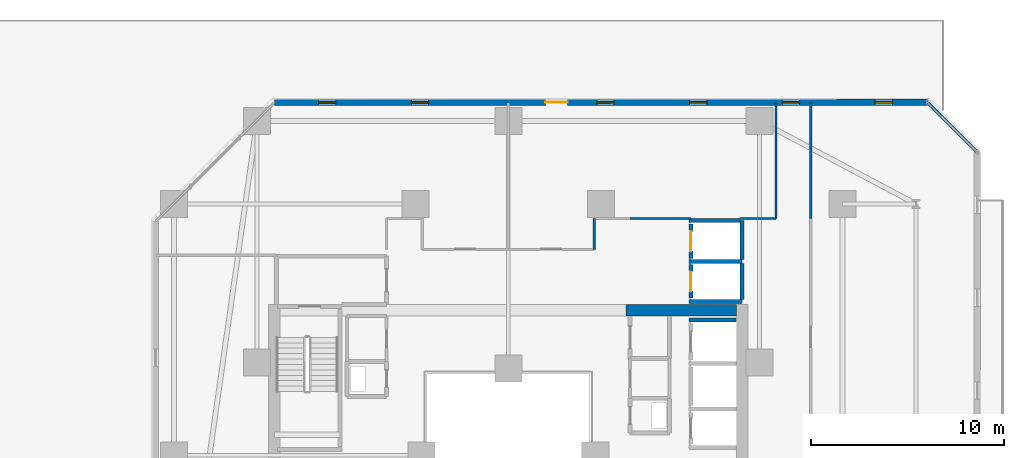
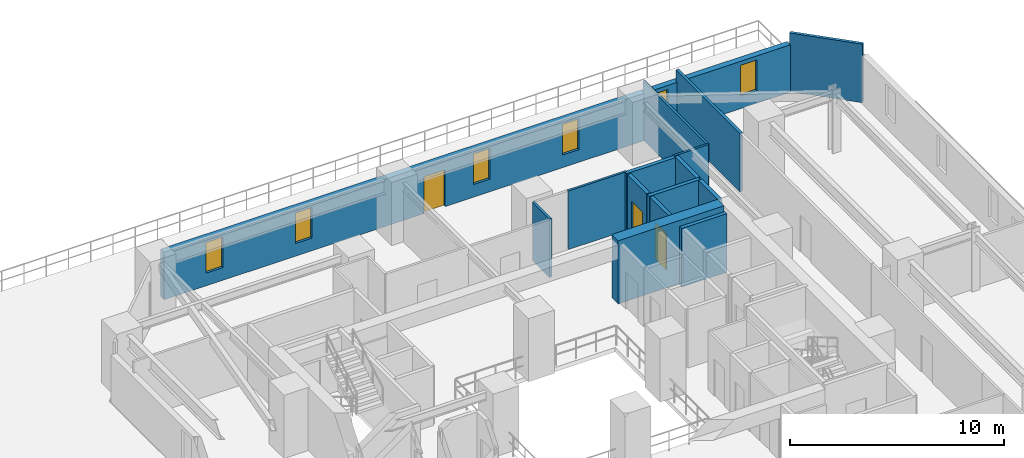
# One storey, part 25 of 34: 16 walls, 6 windows, 3 doors, 9 openings.
"""IFC4 building model written with IfcOpenShell, lengths in metres."""

from ifc_helpers import new_model, si_unit, direction, frame, frame_2d, origin, place, context, subcontext, project, spatial, rectangle, extrude, material, layer, layer_set, type_object, element, fill, save


model = new_model("IFC4")

# Units and contexts
model_context = context("Model", 3, precision=1e-05, world=origin(), true_north=direction((0.0, 1.0)))
body_context = subcontext(model_context, "Body", "Model", "MODEL_VIEW")
ifc_project = project(units=[si_unit("LENGTHUNIT", "METRE"), si_unit("AREAUNIT", "SQUARE_METRE"), si_unit("VOLUMEUNIT", "CUBIC_METRE"), si_unit("PLANEANGLEUNIT", "RADIAN"), si_unit("MASSUNIT", "GRAM", prefix="KILO")], contexts=[model_context])

# Site, building, storey
site_placement = place(None, origin())
site = spatial("IfcSite", under=ifc_project, at=site_placement, CompositionType="ELEMENT")
building_placement = place(site_placement, origin())
building = spatial("IfcBuilding", under=site, at=building_placement, Name="Thornwick Lancets Civic Towers", CompositionType="ELEMENT")
storey_placement = place(building_placement, frame((0.0, 0.0, 27.89990234375)))
storey = spatial("IfcBuildingStorey", under=building, at=storey_placement, Name="L06", CompositionType="ELEMENT", Elevation=27.89990234375)

# Wall, opening, door
ifc_material_1 = material(Name="Concrete blockwork C40/50", Category="masonry")
ifc_layer_1 = layer(ifc_material_1, 0.199951171875, Name="Concrete blockwork C40/50")
ifc_layer_set_1 = layer_set([ifc_layer_1], Name="Concrete blockwork C40/50")
wall_type_1 = type_object("IfcWallType", Name="WALL_COMP_200", PredefinedType="STANDARD", material=ifc_layer_set_1)
wall_1_placement = place(storey_placement, frame((97.949951171875, 36.8701171875, 0.0), z_axis=(0.0, 0.0, 1.0), x_axis=(0.0, -1.0, 0.0)))
wall_1 = element("IfcWall", 1, at=wall_1_placement, inside=storey, type_object=wall_type_1, Name="L06 Hoistway Front Wall PL-BL2", PredefinedType="STANDARD", context=body_context, shape_type="SweptSolid", body=[
    extrude(rectangle(XDim=1.740234375, YDim=0.199951171875, at=frame_2d((0.8701171875, 0.0))), origin(), (0.0, 0.0, 1.0), 3.340087890625),
])
opening_1_placement = place(wall_1_placement, frame((0.360107421875, 0.0, 0.0)))
opening_1 = element("IfcOpeningElement", 2, at=opening_1_placement, cuts=wall_1, Name="Opening LD-PL-BL2", PredefinedType="OPENING", context=body_context, shape_type="SweptSolid", body=[
    extrude(rectangle(XDim=1.02001953125, YDim=2.06005859375, at=frame_2d((0.510009765625, 1.030029296875))), frame((0.0, 0.10986328125, 0.0), z_axis=(0.0, -1.0, 0.0), x_axis=(1.0, 0.0, 0.0)), (0.0, 0.0, 1.0), 0.219970703125),
])
ifc_material_2 = material(Name="Brushed bronze stainless steel", Category="steel")
door_type_1 = type_object("IfcDoorType", Name="DOOR_LIFT_SLIDE", OperationType="SLIDING_TO_LEFT", PredefinedType="DOOR", material=ifc_material_2)
door_1_placement = place(opening_1_placement, origin())
door_1 = element("IfcDoor", 3, at=door_1_placement, inside=storey, type_object=door_type_1, Name="L06 Sliding Lift Landing Door LD-PL-BL2", OperationType="SLIDING_TO_LEFT", OverallHeight=2.06005859375, OverallWidth=1.02001953125, PredefinedType="DOOR", context=body_context, shape_type="SweptSolid", body=[
    extrude(rectangle(XDim=1.02001953125, YDim=2.06005859375, at=frame_2d((0.510009765625, 1.030029296875))), frame((0.0, 0.02490234375, 0.0), z_axis=(0.0, -1.0, 0.0), x_axis=(1.0, 0.0, 0.0)), (0.0, 0.0, 1.0), 0.050048828125),
])
fill(opening_1, door_1)

wall_2_placement = place(storey_placement, frame((97.949951171875, 38.969970703125, 0.0), z_axis=(0.0, 0.0, 1.0), x_axis=(0.0, -1.0, 0.0)))
wall_2 = element("IfcWall", 4, at=wall_2_placement, inside=storey, type_object=wall_type_1, Name="L06 Hoistway Front Wall PL-BL3", PredefinedType="STANDARD", context=body_context, shape_type="SweptSolid", body=[
    extrude(rectangle(XDim=1.7900390625, YDim=0.199951171875, at=frame_2d((0.89501953125, 0.0))), origin(), (0.0, 0.0, 1.0), 3.340087890625),
])
opening_2_placement = place(wall_2_placement, frame((0.385009765625, 0.0, 0.0)))
opening_2 = element("IfcOpeningElement", 5, at=opening_2_placement, cuts=wall_2, Name="Opening LD-PL-BL3", PredefinedType="OPENING", context=body_context, shape_type="SweptSolid", body=[
    extrude(rectangle(XDim=1.02001953125, YDim=2.06005859375, at=frame_2d((0.510009765625, 1.030029296875))), frame((0.0, 0.10986328125, 0.0), z_axis=(0.0, -1.0, 0.0), x_axis=(1.0, 0.0, 0.0)), (0.0, 0.0, 1.0), 0.219970703125),
])
door_2_placement = place(opening_2_placement, origin())
door_2 = element("IfcDoor", 6, at=door_2_placement, inside=storey, type_object=door_type_1, Name="L06 Sliding Lift Landing Door LD-PL-BL3", OperationType="SLIDING_TO_LEFT", OverallHeight=2.06005859375, OverallWidth=1.02001953125, PredefinedType="DOOR", context=body_context, shape_type="SweptSolid", body=[
    extrude(rectangle(XDim=1.02001953125, YDim=2.06005859375, at=frame_2d((0.510009765625, 1.030029296875))), frame((0.0, 0.02490234375, 0.0), z_axis=(0.0, -1.0, 0.0), x_axis=(1.0, 0.0, 0.0)), (0.0, 0.0, 1.0), 0.050048828125),
])
fill(opening_2, door_2)

# Walls
wall_3_placement = place(storey_placement, frame((97.85205078125, 34.0, 0.0), z_axis=(0.0, 0.0, 1.0), x_axis=(1.0, 0.0, 0.0)))
element("IfcWall", 7, at=wall_3_placement, inside=storey, type_object=wall_type_1, Name="L06 Hoistway Shaft Wall PL-BL1 N", PredefinedType="STANDARD", context=body_context, shape_type="SweptSolid", body=[
    extrude(rectangle(XDim=2.43603515625, YDim=0.199951171875, at=frame_2d((1.218017578125, 0.0))), origin(), (0.0, 0.0, 1.0), 3.340087890625),
])
for number, where, z_axis, x_axis, name in (
    (8, (97.85205078125, 37.02490234375, 0.0), (0.0, 0.0, 1.0), (1.0, 0.0, 0.0), "L06 Hoistway Shaft Wall PL-BL2 N"),
    (9, (97.85205078125, 34.949951171875, 0.0), (0.0, 0.0, 1.0), (1.0, 0.0, 0.0), "L06 Hoistway Shaft Wall PL-BL2 S"),
):
    element("IfcWall", number, at=place(storey_placement, frame(where, z_axis=z_axis, x_axis=x_axis)), inside=storey, type_object=wall_type_1, Name=name, PredefinedType="STANDARD", context=body_context, shape_type="SweptSolid", body=[
        extrude(rectangle(XDim=2.745849609375, YDim=0.199951171875, at=frame_2d((1.373046875, 0.0))), origin(), (0.0, 0.0, 1.0), 3.340087890625),
    ])
wall_4_placement = place(storey_placement, frame((100.60009765625, 35.06201171875, 0.0), z_axis=(0.0, 0.0, 1.0), x_axis=(0.0, 1.0, 0.0)))
element("IfcWall", 10, at=wall_4_placement, inside=storey, type_object=wall_type_1, Name="L06 Hoistway Shaft Wall PL-BL2 E", PredefinedType="STANDARD", context=body_context, shape_type="SweptSolid", body=[
    extrude(rectangle(XDim=1.85595703125, YDim=0.199951171875, at=frame_2d((0.927978515625, 0.0))), origin(), (0.0, 0.0, 1.0), 3.340087890625),
])
wall_5_placement = place(storey_placement, frame((100.60009765625, 37.132080078125, 0.0), z_axis=(0.0, 0.0, 1.0), x_axis=(0.0, 1.0, 0.0)))
element("IfcWall", 11, at=wall_5_placement, inside=storey, type_object=wall_type_1, Name="L06 Hoistway Shaft Wall PL-BL2 E", PredefinedType="STANDARD", context=body_context, shape_type="SweptSolid", body=[
    extrude(rectangle(XDim=2.015869140625, YDim=0.199951171875, at=frame_2d((1.0078125, 0.0))), origin(), (0.0, 0.0, 1.0), 3.340087890625),
])
wall_6_placement = place(storey_placement, frame((97.85205078125, 39.14990234375, 0.0), z_axis=(0.0, 0.0, 1.0), x_axis=(1.0, 0.0, 0.0)))
element("IfcWall", 12, at=wall_6_placement, inside=storey, type_object=wall_type_1, Name="L06 Hoistway Shaft Wall PL-BL3 N", PredefinedType="STANDARD", context=body_context, shape_type="SweptSolid", body=[
    extrude(rectangle(XDim=2.635986328125, YDim=0.199951171875, at=frame_2d((1.31787109375, 0.0))), origin(), (0.0, 0.0, 1.0), 3.340087890625),
])
ifc_material_3 = material(Name="Concrete C60/75", Category="concrete")
ifc_layer_2 = layer(ifc_material_3, 0.60009765625, Name="Concrete C60/75")
ifc_layer_set_2 = layer_set([ifc_layer_2], Name="Concrete C60/75")
wall_type_2 = type_object("IfcWallType", Name="WALL_CORE_600", PredefinedType="SHEAR", material=ifc_layer_set_2)
wall_7_placement = place(storey_placement, frame((94.60009765625, 34.5, 0.0), z_axis=(0.0, 0.0, 1.0), x_axis=(1.0, 0.0, 0.0)))
element("IfcWall", 13, at=wall_7_placement, inside=storey, type_object=wall_type_2, Name="L06 Split Core B1 Shear Wall N", PredefinedType="SHEAR", context=body_context, shape_type="SweptSolid", body=[
    extrude(rectangle(XDim=5.699951171875, YDim=0.60009765625, at=frame_2d((2.85009765625, 0.0))), origin(), (0.0, 0.0, 1.0), 3.60009765625),
])

# Wall, openings, door, windows
ifc_material_4 = material(Name="Insulated buff terracotta rainscreen on concrete C40/50", Category="masonry")
ifc_layer_3 = layer(ifc_material_4, 0.320068359375, Name="Insulated buff terracotta rainscreen on concrete C40/50")
ifc_layer_set_3 = layer_set([ifc_layer_3], Name="Insulated buff terracotta rainscreen on concrete C40/50")
wall_type_3 = type_object("IfcWallType", Name="WALL_EXT_TERRA_320", PredefinedType="STANDARD", material=ifc_layer_set_3)
wall_8_placement = place(storey_placement, frame((110.18115234375, 45.264892578125, 0.0), z_axis=(0.0, 0.0, 1.0), x_axis=(-0.999999942296, -0.000339718087, 0.0)))
wall_8 = element("IfcWall", 14, at=wall_8_placement, inside=storey, type_object=wall_type_3, Name="L06 Tower B Terracotta Facade Wall E4", PredefinedType="STANDARD", context=body_context, shape_type="SweptSolid", body=[
    extrude(rectangle(XDim=33.77685546875, YDim=0.320068359375, at=frame_2d((16.888427734375, 0.0))), origin(), (0.0, 0.0, 1.0), 2.7001953125),
])
opening_3_placement = place(wall_8_placement, frame((18.613525390625, 0.0, 0.0)))
opening_3 = element("IfcOpeningElement", 15, at=opening_3_placement, cuts=wall_8, Name="Opening D-PR-B4", PredefinedType="OPENING", context=body_context, shape_type="SweptSolid", body=[
    extrude(rectangle(XDim=1.14990234375, YDim=2.10009765625, at=frame_2d((0.574951171875, 1.050048828125))), frame((0.0, 0.169921875, 0.0), z_axis=(0.0, -1.0, 0.0), x_axis=(1.0, 0.0, 0.0)), (0.0, 0.0, 1.0), 0.340087890625),
])
opening_4_placement = place(wall_8_placement, frame((1.800048828125, 0.0, 0.719970703125)))
opening_4 = element("IfcOpeningElement", 16, at=opening_4_placement, cuts=wall_8, Name="Opening WL-01", PredefinedType="OPENING", context=body_context, shape_type="SweptSolid", body=[
    extrude(rectangle(XDim=0.89990234375, YDim=1.75, at=frame_2d((0.449951171875, 0.875))), frame((0.0, 0.169921875, 0.0), z_axis=(0.0, -1.0, 0.0), x_axis=(1.0, 0.0, 0.0)), (0.0, 0.0, 1.0), 0.340087890625),
])
opening_5_placement = place(wall_8_placement, frame((6.60009765625, 0.0, 0.719970703125)))
opening_5 = element("IfcOpeningElement", 17, at=opening_5_placement, cuts=wall_8, Name="Opening WL-01", PredefinedType="OPENING", context=body_context, shape_type="SweptSolid", body=[
    extrude(rectangle(XDim=0.89990234375, YDim=1.75, at=frame_2d((0.449951171875, 0.875))), frame((0.0, 0.169921875, 0.0), z_axis=(0.0, -1.0, 0.0), x_axis=(1.0, 0.0, 0.0)), (0.0, 0.0, 1.0), 0.340087890625),
])
opening_6_placement = place(wall_8_placement, frame((11.39990234375, 0.0, 0.719970703125)))
opening_6 = element("IfcOpeningElement", 18, at=opening_6_placement, cuts=wall_8, Name="Opening WL-01", PredefinedType="OPENING", context=body_context, shape_type="SweptSolid", body=[
    extrude(rectangle(XDim=0.89990234375, YDim=1.75, at=frame_2d((0.449951171875, 0.875))), frame((0.0, 0.169921875, 0.0), z_axis=(0.0, -1.0, 0.0), x_axis=(1.0, 0.0, 0.0)), (0.0, 0.0, 1.0), 0.340087890625),
])
opening_7_placement = place(wall_8_placement, frame((16.199951171875, 0.0, 0.719970703125)))
opening_7 = element("IfcOpeningElement", 19, at=opening_7_placement, cuts=wall_8, Name="Opening WL-01", PredefinedType="OPENING", context=body_context, shape_type="SweptSolid", body=[
    extrude(rectangle(XDim=0.89990234375, YDim=1.75, at=frame_2d((0.449951171875, 0.875))), frame((0.0, 0.169921875, 0.0), z_axis=(0.0, -1.0, 0.0), x_axis=(1.0, 0.0, 0.0)), (0.0, 0.0, 1.0), 0.340087890625),
])
opening_8_placement = place(wall_8_placement, frame((25.800048828125, 0.0, 0.719970703125)))
opening_8 = element("IfcOpeningElement", 20, at=opening_8_placement, cuts=wall_8, Name="Opening WL-01", PredefinedType="OPENING", context=body_context, shape_type="SweptSolid", body=[
    extrude(rectangle(XDim=0.89990234375, YDim=1.75, at=frame_2d((0.449951171875, 0.875))), frame((0.0, 0.169921875, 0.0), z_axis=(0.0, -1.0, 0.0), x_axis=(1.0, 0.0, 0.0)), (0.0, 0.0, 1.0), 0.340087890625),
])
opening_9_placement = place(wall_8_placement, frame((30.60009765625, 0.0, 0.719970703125)))
opening_9 = element("IfcOpeningElement", 21, at=opening_9_placement, cuts=wall_8, Name="Opening WL-01", PredefinedType="OPENING", context=body_context, shape_type="SweptSolid", body=[
    extrude(rectangle(XDim=0.89990234375, YDim=1.75, at=frame_2d((0.449951171875, 0.875))), frame((0.0, 0.169921875, 0.0), z_axis=(0.0, -1.0, 0.0), x_axis=(1.0, 0.0, 0.0)), (0.0, 0.0, 1.0), 0.340087890625),
])
ifc_material_5 = material(Name="Thermally broken glazed terrace doorset")
door_type_2 = type_object("IfcDoorType", Name="DOOR_TERRACE_1200", OperationType="NOTDEFINED", PredefinedType="DOOR", material=ifc_material_5)
door_3_placement = place(opening_3_placement, origin())
door_3 = element("IfcDoor", 22, at=door_3_placement, inside=storey, type_object=door_type_2, Name="L06 Tower B Podium Roof Garden Door 4", OperationType="SINGLE_SWING_RIGHT", OverallHeight=2.10009765625, OverallWidth=1.14990234375, PredefinedType="DOOR", context=body_context, shape_type="SweptSolid", body=[
    extrude(rectangle(XDim=1.14990234375, YDim=2.10009765625, at=frame_2d((0.574951171875, 1.050048828125))), frame((0.0, 0.02490234375, 0.0), z_axis=(0.0, -1.0, 0.0), x_axis=(1.0, 0.0, 0.0)), (0.0, 0.0, 1.0), 0.050048828125),
])
fill(opening_3, door_3)
ifc_material_6 = material(Name="Clear low-e double glazing in bronze frame", Category="glass")
window_type = type_object("IfcWindowType", Name="WIN_LANCET_900", PartitioningType="SINGLE_PANEL", PredefinedType="WINDOW", material=ifc_material_6)
window_1_placement = place(opening_4_placement, origin())
window_1 = element("IfcWindow", 23, at=window_1_placement, inside=storey, type_object=window_type, Name="L06 Tower B Staggered Lancet Window E4-1", OverallHeight=1.75, OverallWidth=0.89990234375, PartitioningType="SINGLE_PANEL", PredefinedType="WINDOW", context=body_context, shape_type="SweptSolid", body=[
    extrude(rectangle(XDim=0.89990234375, YDim=1.75, at=frame_2d((0.449951171875, 0.875))), frame((0.0, 0.030029296875, 0.0), z_axis=(0.0, -1.0, 0.0), x_axis=(1.0, 0.0, 0.0)), (0.0, 0.0, 1.0), 0.06005859375),
])
fill(opening_4, window_1)
window_2_placement = place(opening_5_placement, origin())
window_2 = element("IfcWindow", 24, at=window_2_placement, inside=storey, type_object=window_type, Name="L06 Tower B Staggered Lancet Window E4-2", OverallHeight=1.75, OverallWidth=0.89990234375, PartitioningType="SINGLE_PANEL", PredefinedType="WINDOW", context=body_context, shape_type="SweptSolid", body=[
    extrude(rectangle(XDim=0.89990234375, YDim=1.75, at=frame_2d((0.449951171875, 0.875))), frame((0.0, 0.030029296875, 0.0), z_axis=(0.0, -1.0, 0.0), x_axis=(1.0, 0.0, 0.0)), (0.0, 0.0, 1.0), 0.06005859375),
])
fill(opening_5, window_2)
window_3_placement = place(opening_6_placement, origin())
window_3 = element("IfcWindow", 25, at=window_3_placement, inside=storey, type_object=window_type, Name="L06 Tower B Staggered Lancet Window E4-3", OverallHeight=1.75, OverallWidth=0.89990234375, PartitioningType="SINGLE_PANEL", PredefinedType="WINDOW", context=body_context, shape_type="SweptSolid", body=[
    extrude(rectangle(XDim=0.89990234375, YDim=1.75, at=frame_2d((0.449951171875, 0.875))), frame((0.0, 0.030029296875, 0.0), z_axis=(0.0, -1.0, 0.0), x_axis=(1.0, 0.0, 0.0)), (0.0, 0.0, 1.0), 0.06005859375),
])
fill(opening_6, window_3)
window_4_placement = place(opening_7_placement, origin())
window_4 = element("IfcWindow", 26, at=window_4_placement, inside=storey, type_object=window_type, Name="L06 Tower B Staggered Lancet Window E4-4", OverallHeight=1.75, OverallWidth=0.89990234375, PartitioningType="SINGLE_PANEL", PredefinedType="WINDOW", context=body_context, shape_type="SweptSolid", body=[
    extrude(rectangle(XDim=0.89990234375, YDim=1.75, at=frame_2d((0.449951171875, 0.875))), frame((0.0, 0.030029296875, 0.0), z_axis=(0.0, -1.0, 0.0), x_axis=(1.0, 0.0, 0.0)), (0.0, 0.0, 1.0), 0.06005859375),
])
fill(opening_7, window_4)
window_5_placement = place(opening_8_placement, origin())
window_5 = element("IfcWindow", 27, at=window_5_placement, inside=storey, type_object=window_type, Name="L06 Tower B Staggered Lancet Window E4-5", OverallHeight=1.75, OverallWidth=0.89990234375, PartitioningType="SINGLE_PANEL", PredefinedType="WINDOW", context=body_context, shape_type="SweptSolid", body=[
    extrude(rectangle(XDim=0.89990234375, YDim=1.75, at=frame_2d((0.449951171875, 0.875))), frame((0.0, 0.030029296875, 0.0), z_axis=(0.0, -1.0, 0.0), x_axis=(1.0, 0.0, 0.0)), (0.0, 0.0, 1.0), 0.06005859375),
])
fill(opening_8, window_5)
window_6_placement = place(opening_9_placement, origin())
window_6 = element("IfcWindow", 28, at=window_6_placement, inside=storey, type_object=window_type, Name="L06 Tower B Staggered Lancet Window E4-6", OverallHeight=1.75, OverallWidth=0.89990234375, PartitioningType="SINGLE_PANEL", PredefinedType="WINDOW", context=body_context, shape_type="SweptSolid", body=[
    extrude(rectangle(XDim=0.89990234375, YDim=1.75, at=frame_2d((0.449951171875, 0.875))), frame((0.0, 0.030029296875, 0.0), z_axis=(0.0, -1.0, 0.0), x_axis=(1.0, 0.0, 0.0)), (0.0, 0.0, 1.0), 0.06005859375),
])
fill(opening_9, window_6)

# Walls
ifc_material_7 = material(Name="Acoustic gypsum board partition")
ifc_layer_4 = layer(ifc_material_7, 0.1201171875, Name="Acoustic gypsum board partition")
ifc_layer_set_4 = layer_set([ifc_layer_4], Name="Acoustic gypsum board partition")
wall_type_4 = type_object("IfcWallType", Name="WALL_PART_120", PredefinedType="PARTITIONING", material=ifc_layer_set_4)
wall_9_placement = place(storey_placement, frame((97.949951171875, 39.25, 0.0), z_axis=(0.0, 0.0, 1.0), x_axis=(-1.0, 0.0, 0.0)))
element("IfcWall", 29, at=wall_9_placement, inside=storey, type_object=wall_type_4, Name="L06 Partition L06-B-E1 E1", PredefinedType="PARTITIONING", context=body_context, shape_type="SweptSolid", body=[
    extrude(rectangle(XDim=3.14990234375, YDim=0.1201171875, at=frame_2d((1.574951171875, 0.0))), origin(), (0.0, 0.0, 1.0), 3.340087890625),
])
wall_10_placement = place(storey_placement, frame((92.949951171875, 39.25, 0.0), z_axis=(0.0, 0.0, 1.0), x_axis=(0.0, -1.0, 0.0)))
element("IfcWall", 30, at=wall_10_placement, inside=storey, type_object=wall_type_4, Name="L06 Partition L06-B-E1 E3", PredefinedType="PARTITIONING", context=body_context, shape_type="SweptSolid", body=[
    extrude(rectangle(XDim=1.60009765625, YDim=0.1201171875, at=frame_2d((0.800048828125, 0.0))), origin(), (0.0, 0.0, 1.0), 3.340087890625),
])
wall_11_placement = place(storey_placement, frame((102.35009765625, 45.219970703125, 0.0), z_axis=(0.0, 0.0, 1.0), x_axis=(0.0, -1.0, 0.0)))
element("IfcWall", 31, at=wall_11_placement, inside=storey, type_object=wall_type_4, Name="L06 Partition L06-B-E1 E7", PredefinedType="PARTITIONING", context=body_context, shape_type="SweptSolid", body=[
    extrude(rectangle(XDim=5.969970703125, YDim=0.1201171875, at=frame_2d((2.98486328125, 0.0))), origin(), (0.0, 0.0, 1.0), 3.340087890625),
])
wall_12_placement = place(storey_placement, frame((102.35009765625, 39.25, 0.0), z_axis=(0.0, 0.0, 1.0), x_axis=(-1.0, 0.0, 0.0)))
element("IfcWall", 32, at=wall_12_placement, inside=storey, type_object=wall_type_4, Name="L06 Partition L06-B-E1 E8", PredefinedType="PARTITIONING", context=body_context, shape_type="SweptSolid", body=[
    extrude(rectangle(XDim=1.862060546875, YDim=0.1201171875, at=frame_2d((0.93115234375, 0.0))), origin(), (0.0, 0.0, 1.0), 3.340087890625),
])
ifc_material_8 = material(Name="Twin-stud acoustic gypsum board")
ifc_layer_5 = layer(ifc_material_8, 0.14990234375, Name="Twin-stud acoustic gypsum board")
ifc_layer_set_5 = layer_set([ifc_layer_5], Name="Twin-stud acoustic gypsum board")
wall_type_5 = type_object("IfcWallType", Name="WALL_PART_150", PredefinedType="PARTITIONING", material=ifc_layer_set_5)
wall_13_placement = place(storey_placement, frame((104.14990234375, 39.25, 0.0), z_axis=(0.0, 0.0, 1.0), x_axis=(0.0, 1.0, 0.0)))
element("IfcWall", 33, at=wall_13_placement, inside=storey, type_object=wall_type_5, Name="L06 Partition L06-B-S-ARCH E2", PredefinedType="PARTITIONING", context=body_context, shape_type="SweptSolid", body=[
    extrude(rectangle(XDim=5.969970703125, YDim=0.14990234375, at=frame_2d((2.98486328125, 0.0))), origin(), (0.0, 0.0, 1.0), 3.340087890625),
])
wall_14_placement = place(storey_placement, frame((110.225341796875, 45.219970703125, 0.0), z_axis=(0.0, 0.0, 1.0), x_axis=(0.707106781187, -0.707106781187, 0.0)))
element("IfcWall", 34, at=wall_14_placement, inside=storey, type_object=wall_type_5, Name="L06 Partition L06-B-S-ARCH E4", PredefinedType="PARTITIONING", context=body_context, shape_type="SweptSolid", body=[
    extrude(rectangle(XDim=3.52783203125, YDim=0.14990234375, at=frame_2d((1.763916015625, 0.0))), origin(), (0.0, 0.0, 1.0), 3.340087890625),
])

save(model, "model.ifc")
